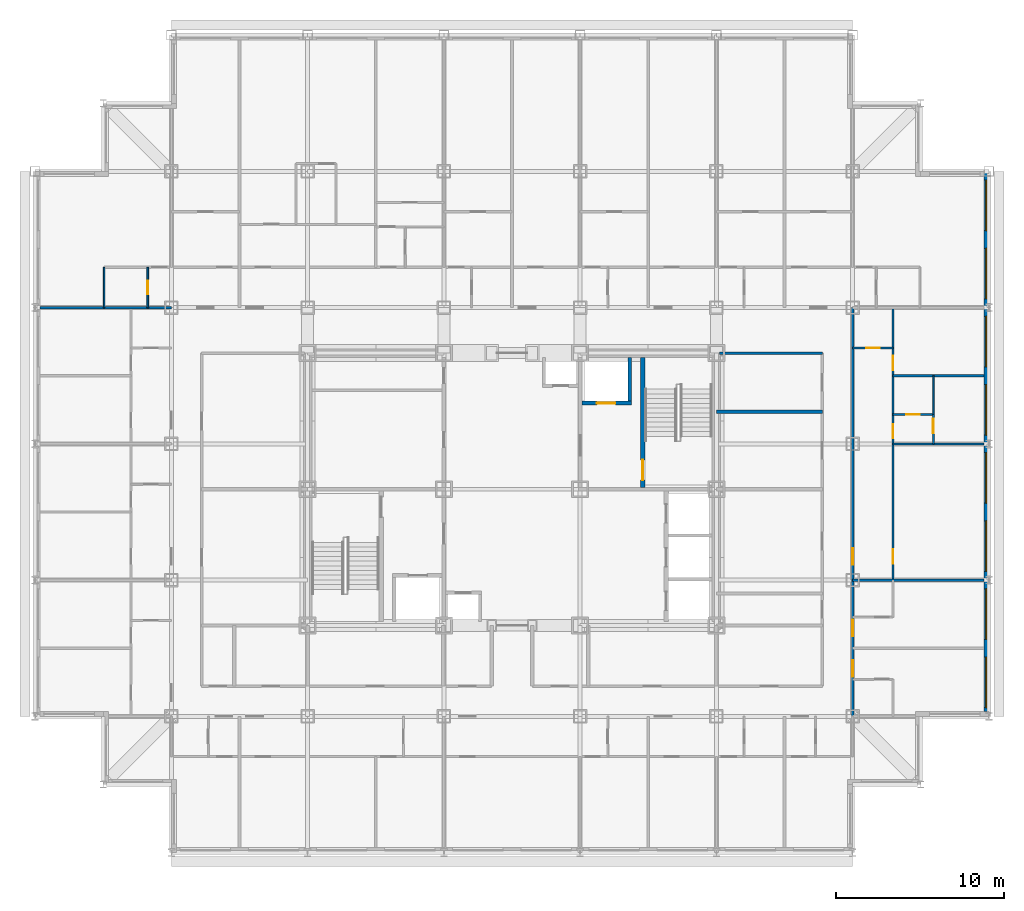
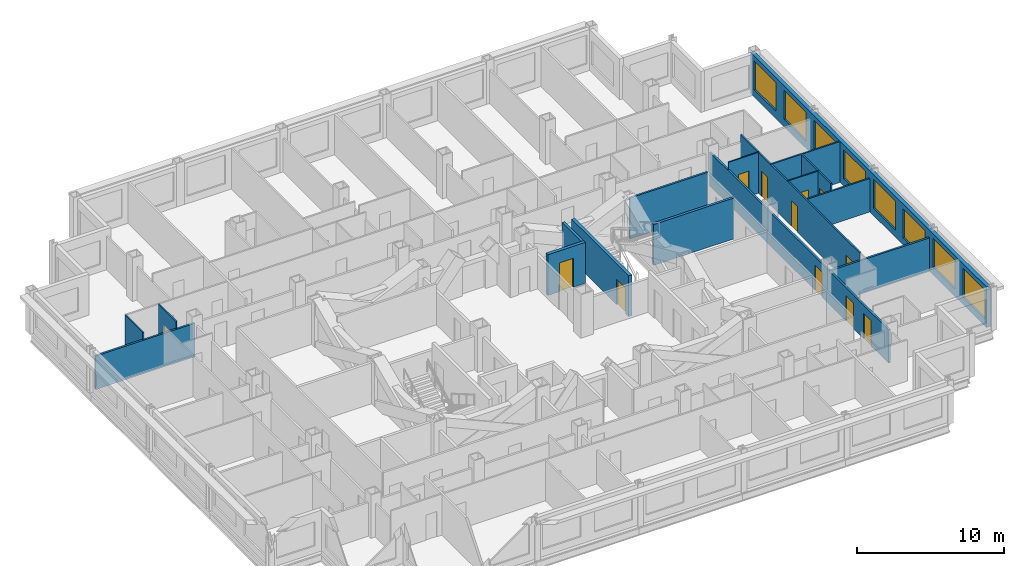
# One storey, part 8 of 12: 18 walls, 12 doors, 8 windows, 20 openings.
"""IFC4 building model written with IfcOpenShell, lengths in metres."""

from ifc_helpers import new_model, si_unit, direction, frame, frame_2d, origin, place, context, subcontext, project, spatial, rectangle, extrude, material, layer, layer_set, type_object, element, fill, save


model = new_model("IFC4")

# Units and contexts
model_context = context("Model", 3, precision=1e-05, world=origin(), true_north=direction((0.0, 1.0)))
body_context = subcontext(model_context, "Body", "Model", "MODEL_VIEW")
ifc_project = project(units=[si_unit("LENGTHUNIT", "METRE"), si_unit("AREAUNIT", "SQUARE_METRE"), si_unit("VOLUMEUNIT", "CUBIC_METRE"), si_unit("PLANEANGLEUNIT", "RADIAN"), si_unit("MASSUNIT", "GRAM", prefix="KILO")], contexts=[model_context])

# Site, building, storey
site_placement = place(None, origin())
site = spatial("IfcSite", under=ifc_project, at=site_placement, CompositionType="ELEMENT")
building_placement = place(site_placement, origin())
building = spatial("IfcBuilding", under=site, at=building_placement, Name="Kopane Lantern Tower", CompositionType="ELEMENT")
storey_placement = place(building_placement, frame((0.0, 0.0, 195.60009765625)))
storey = spatial("IfcBuildingStorey", under=building, at=storey_placement, Name="L50", CompositionType="ELEMENT", Elevation=195.60009765625)

# Wall, openings, doors
ifc_material_1 = material(Name="Gypsum board on steel studs", Category="steel")
ifc_layer_1 = layer(ifc_material_1, 0.1201171875)
ifc_layer_set_1 = layer_set([ifc_layer_1], Name="APARTMENT INTERNAL WALL 120")
wall_type_1 = type_object("IfcWallType", Name="APARTMENT INTERNAL WALL 120", PredefinedType="PARTITIONING", material=ifc_layer_set_1)
wall_1_placement = place(storey_placement, frame((51.0, 27.0, 0.0), z_axis=(0.0, 0.0, 1.0), x_axis=(0.0, 1.0, 0.0)))
wall_1 = element("IfcWall", 1, at=wall_1_placement, inside=storey, type_object=wall_type_1, Name="Apartment Internal Wall 120 L50", PredefinedType="PARTITIONING", context=body_context, shape_type="SweptSolid", body=[
    extrude(rectangle(XDim=16.199951171875, YDim=0.1201171875, at=frame_2d((8.10009765625, 0.0))), origin(), (0.0, 0.0, 1.0), 3.389892578125),
])
opening_1_placement = place(wall_1_placement, frame((0.97509765625, 0.0, 0.0)))
opening_1 = element("IfcOpeningElement", 2, at=opening_1_placement, cuts=wall_1, Name="Opening L50-058", PredefinedType="OPENING", context=body_context, shape_type="SweptSolid", body=[
    extrude(rectangle(XDim=0.85009765625, YDim=2.10009765625, at=frame_2d((0.425048828125, 1.050048828125))), frame((0.0, 0.070068359375, 0.0), z_axis=(0.0, -1.0, 0.0), x_axis=(1.0, 0.0, 0.0)), (0.0, 0.0, 1.0), 0.14013671875),
])
opening_2_placement = place(wall_1_placement, frame((8.425048828125, 0.0, 0.0)))
opening_2 = element("IfcOpeningElement", 3, at=opening_2_placement, cuts=wall_1, Name="Opening L50-060", PredefinedType="OPENING", context=body_context, shape_type="SweptSolid", body=[
    extrude(rectangle(XDim=0.85009765625, YDim=2.10009765625, at=frame_2d((0.425048828125, 1.050048828125))), frame((0.0, 0.070068359375, 0.0), z_axis=(0.0, -1.0, 0.0), x_axis=(1.0, 0.0, 0.0)), (0.0, 0.0, 1.0), 0.14013671875),
])
opening_3_placement = place(wall_1_placement, frame((12.47509765625, 0.0, 0.0)))
opening_3 = element("IfcOpeningElement", 4, at=opening_3_placement, cuts=wall_1, Name="Opening L50-061", PredefinedType="OPENING", context=body_context, shape_type="SweptSolid", body=[
    extrude(rectangle(XDim=0.85009765625, YDim=2.10009765625, at=frame_2d((0.425048828125, 1.050048828125))), frame((0.0, 0.070068359375, 0.0), z_axis=(0.0, -1.0, 0.0), x_axis=(1.0, 0.0, 0.0)), (0.0, 0.0, 1.0), 0.14013671875),
])
ifc_material_2 = material(Name="Timber door set", Category="wood")
door_type_1 = type_object("IfcDoorType", Name="DOOR D4 850x2100", OperationType="SINGLE_SWING_LEFT", PredefinedType="DOOR", material=ifc_material_2)
door_1_placement = place(opening_1_placement, origin())
door_1 = element("IfcDoor", 5, at=door_1_placement, inside=storey, type_object=door_type_1, Name="Door L50-058", OperationType="SINGLE_SWING_LEFT", OverallHeight=2.10009765625, OverallWidth=0.85009765625, PredefinedType="DOOR", context=body_context, shape_type="SweptSolid", body=[
    extrude(rectangle(XDim=0.85009765625, YDim=2.10009765625, at=frame_2d((0.425048828125, 1.050048828125))), frame((0.0, 0.02490234375, 0.0), z_axis=(0.0, -1.0, 0.0), x_axis=(1.0, 0.0, 0.0)), (0.0, 0.0, 1.0), 0.050048828125),
])
fill(opening_1, door_1)
door_2_placement = place(opening_2_placement, origin())
door_2 = element("IfcDoor", 6, at=door_2_placement, inside=storey, type_object=door_type_1, Name="Door L50-060", OperationType="SINGLE_SWING_RIGHT", OverallHeight=2.10009765625, OverallWidth=0.85009765625, PredefinedType="DOOR", context=body_context, shape_type="SweptSolid", body=[
    extrude(rectangle(XDim=0.85009765625, YDim=2.10009765625, at=frame_2d((0.425048828125, 1.050048828125))), frame((0.0, 0.02490234375, 0.0), z_axis=(0.0, -1.0, 0.0), x_axis=(1.0, 0.0, 0.0)), (0.0, 0.0, 1.0), 0.050048828125),
])
fill(opening_2, door_2)
door_3_placement = place(opening_3_placement, origin())
door_3 = element("IfcDoor", 7, at=door_3_placement, inside=storey, type_object=door_type_1, Name="Door L50-061", OperationType="SINGLE_SWING_RIGHT", OverallHeight=2.10009765625, OverallWidth=0.85009765625, PredefinedType="DOOR", context=body_context, shape_type="SweptSolid", body=[
    extrude(rectangle(XDim=0.85009765625, YDim=2.10009765625, at=frame_2d((0.425048828125, 1.050048828125))), frame((0.0, 0.02490234375, 0.0), z_axis=(0.0, -1.0, 0.0), x_axis=(1.0, 0.0, 0.0)), (0.0, 0.0, 1.0), 0.050048828125),
])
fill(opening_3, door_3)

# Walls
wall_2_placement = place(storey_placement, frame((51.0, 35.10009765625, 0.0), z_axis=(0.0, 0.0, 1.0), x_axis=(1.0, 0.0, 0.0)))
element("IfcWall", 8, at=wall_2_placement, inside=storey, type_object=wall_type_1, Name="Apartment Internal Wall 120 L50", PredefinedType="PARTITIONING", context=body_context, shape_type="SweptSolid", body=[
    extrude(rectangle(XDim=5.39990234375, YDim=0.1201171875, at=frame_2d((2.699951171875, 0.0))), origin(), (0.0, 0.0, 1.0), 2.777587890625),
])
wall_3_placement = place(storey_placement, frame((51.0, 39.14990234375, 0.0), z_axis=(0.0, 0.0, 1.0), x_axis=(1.0, 0.0, 0.0)))
element("IfcWall", 9, at=wall_3_placement, inside=storey, type_object=wall_type_1, Name="Apartment Internal Wall 120 L50", PredefinedType="PARTITIONING", context=body_context, shape_type="SweptSolid", body=[
    extrude(rectangle(XDim=5.39990234375, YDim=0.1201171875, at=frame_2d((2.699951171875, 0.0))), origin(), (0.0, 0.0, 1.0), 3.389892578125),
])

# Wall, opening, door
wall_4_placement = place(storey_placement, frame((53.39990234375, 36.860107421875, 0.0), z_axis=(0.0, 0.0, 1.0), x_axis=(0.0, -1.0, 0.0)))
wall_4 = element("IfcWall", 10, at=wall_4_placement, inside=storey, type_object=wall_type_1, Name="Apartment Internal Wall 120 L50", PredefinedType="PARTITIONING", context=body_context, shape_type="SweptSolid", body=[
    extrude(rectangle(XDim=1.760009765625, YDim=0.1201171875, at=frame_2d((0.8798828125, 0.0))), origin(), (0.0, 0.0, 1.0), 3.389892578125),
])
opening_4_placement = place(wall_4_placement, frame((0.27490234375, 0.0, 0.0)))
opening_4 = element("IfcOpeningElement", 11, at=opening_4_placement, cuts=wall_4, Name="Opening L50-077", PredefinedType="OPENING", context=body_context, shape_type="SweptSolid", body=[
    extrude(rectangle(XDim=0.85009765625, YDim=2.10009765625, at=frame_2d((0.425048828125, 1.050048828125))), frame((0.0, 0.070068359375, 0.0), z_axis=(0.0, -1.0, 0.0), x_axis=(1.0, 0.0, 0.0)), (0.0, 0.0, 1.0), 0.14013671875),
])
door_4_placement = place(opening_4_placement, origin())
door_4 = element("IfcDoor", 12, at=door_4_placement, inside=storey, type_object=door_type_1, Name="Door L50-077", OperationType="SINGLE_SWING_RIGHT", OverallHeight=2.10009765625, OverallWidth=0.85009765625, PredefinedType="DOOR", context=body_context, shape_type="SweptSolid", body=[
    extrude(rectangle(XDim=0.85009765625, YDim=2.10009765625, at=frame_2d((0.425048828125, 1.050048828125))), frame((0.0, 0.02490234375, 0.0), z_axis=(0.0, -1.0, 0.0), x_axis=(1.0, 0.0, 0.0)), (0.0, 0.0, 1.0), 0.050048828125),
])
fill(opening_4, door_4)

ifc_material_3 = material(Name="Moisture-resistant board on steel studs", Category="steel")
ifc_layer_2 = layer(ifc_material_3, 0.10009765625)
ifc_layer_set_2 = layer_set([ifc_layer_2], Name="BATHROOM WALL 100")
wall_type_2 = type_object("IfcWallType", Name="BATHROOM WALL 100", PredefinedType="PARTITIONING", material=ifc_layer_set_2)
wall_5_placement = place(storey_placement, frame((48.60009765625, 40.800048828125, 0.0), z_axis=(0.0, 0.0, 1.0), x_axis=(1.0, 0.0, 0.0)))
wall_5 = element("IfcWall", 13, at=wall_5_placement, inside=storey, type_object=wall_type_2, Name="Bathroom Wall 100 L50", PredefinedType="PARTITIONING", context=body_context, shape_type="SweptSolid", body=[
    extrude(rectangle(XDim=2.39990234375, YDim=0.10009765625, at=frame_2d((1.199951171875, 0.0))), origin(), (0.0, 0.0, 1.0), 3.389892578125),
])
opening_5_placement = place(wall_5_placement, frame((0.800048828125, 0.0, 0.0)))
opening_5 = element("IfcOpeningElement", 14, at=opening_5_placement, cuts=wall_5, Name="Opening L50-056", PredefinedType="OPENING", context=body_context, shape_type="SweptSolid", body=[
    extrude(rectangle(XDim=0.800048828125, YDim=2.10009765625, at=frame_2d((0.39990234375, 1.050048828125))), frame((0.0, 0.06005859375, 0.0), z_axis=(0.0, -1.0, 0.0), x_axis=(1.0, 0.0, 0.0)), (0.0, 0.0, 1.0), 0.1201171875),
])
ifc_material_4 = material(Name="Timber door set", Category="wood")
door_type_2 = type_object("IfcDoorType", Name="DOOR D2 800x2100", OperationType="SINGLE_SWING_LEFT", PredefinedType="DOOR", material=ifc_material_4)
door_5_placement = place(opening_5_placement, origin())
door_5 = element("IfcDoor", 15, at=door_5_placement, inside=storey, type_object=door_type_2, Name="Door L50-056", OperationType="SINGLE_SWING_LEFT", OverallHeight=2.10009765625, OverallWidth=0.800048828125, PredefinedType="DOOR", context=body_context, shape_type="SweptSolid", body=[
    extrude(rectangle(XDim=0.800048828125, YDim=2.10009765625, at=frame_2d((0.39990234375, 1.050048828125))), frame((0.0, 0.02490234375, 0.0), z_axis=(0.0, -1.0, 0.0), x_axis=(1.0, 0.0, 0.0)), (0.0, 0.0, 1.0), 0.050048828125),
])
fill(opening_5, door_5)

wall_6_placement = place(storey_placement, frame((51.0, 36.85009765625, 0.0), z_axis=(0.0, 0.0, 1.0), x_axis=(1.0, 0.0, 0.0)))
wall_6 = element("IfcWall", 16, at=wall_6_placement, inside=storey, type_object=wall_type_2, Name="Bathroom Wall 100 L50", PredefinedType="PARTITIONING", context=body_context, shape_type="SweptSolid", body=[
    extrude(rectangle(XDim=2.39990234375, YDim=0.10009765625, at=frame_2d((1.199951171875, 0.0))), origin(), (0.0, 0.0, 1.0), 3.389892578125),
])
opening_6_placement = place(wall_6_placement, frame((0.800048828125, 0.0, 0.0)))
opening_6 = element("IfcOpeningElement", 17, at=opening_6_placement, cuts=wall_6, Name="Opening L50-059", PredefinedType="OPENING", context=body_context, shape_type="SweptSolid", body=[
    extrude(rectangle(XDim=0.800048828125, YDim=2.10009765625, at=frame_2d((0.39990234375, 1.050048828125))), frame((0.0, 0.06005859375, 0.0), z_axis=(0.0, -1.0, 0.0), x_axis=(1.0, 0.0, 0.0)), (0.0, 0.0, 1.0), 0.1201171875),
])
door_6_placement = place(opening_6_placement, origin())
door_6 = element("IfcDoor", 18, at=door_6_placement, inside=storey, type_object=door_type_2, Name="Door L50-059", OperationType="SINGLE_SWING_LEFT", OverallHeight=2.10009765625, OverallWidth=0.800048828125, PredefinedType="DOOR", context=body_context, shape_type="SweptSolid", body=[
    extrude(rectangle(XDim=0.800048828125, YDim=2.10009765625, at=frame_2d((0.39990234375, 1.050048828125))), frame((0.0, 0.02490234375, 0.0), z_axis=(0.0, -1.0, 0.0), x_axis=(1.0, 0.0, 0.0)), (0.0, 0.0, 1.0), 0.050048828125),
])
fill(opening_6, door_6)

# Wall
wall_7_placement = place(storey_placement, frame((53.39990234375, 36.85009765625, 0.0), z_axis=(0.0, 0.0, 1.0), x_axis=(0.0, 1.0, 0.0)))
element("IfcWall", 19, at=wall_7_placement, inside=storey, type_object=wall_type_2, Name="Bathroom Wall 100 L50", PredefinedType="PARTITIONING", context=body_context, shape_type="SweptSolid", body=[
    extrude(rectangle(XDim=2.2998046875, YDim=0.10009765625, at=frame_2d((1.14990234375, 0.0))), origin(), (0.0, 0.0, 1.0), 3.389892578125),
])

# Wall, opening, door
wall_8_placement = place(storey_placement, frame((6.699951171875, 43.199951171875, 0.0), z_axis=(0.0, 0.0, 1.0), x_axis=(0.0, 1.0, 0.0)))
wall_8 = element("IfcWall", 20, at=wall_8_placement, inside=storey, type_object=wall_type_2, Name="Bathroom Wall 100 L50", PredefinedType="PARTITIONING", context=body_context, shape_type="SweptSolid", body=[
    extrude(rectangle(XDim=2.400146484375, YDim=0.10009765625, at=frame_2d((1.2001953125, 0.0))), origin(), (0.0, 0.0, 1.0), 3.389892578125),
])
opening_7_placement = place(wall_8_placement, frame((0.800048828125, 0.0, 0.0)))
opening_7 = element("IfcOpeningElement", 21, at=opening_7_placement, cuts=wall_8, Name="Opening L50-074", PredefinedType="OPENING", context=body_context, shape_type="SweptSolid", body=[
    extrude(rectangle(XDim=0.800048828125, YDim=2.10009765625, at=frame_2d((0.39990234375, 1.050048828125))), frame((0.0, 0.06005859375, 0.0), z_axis=(0.0, -1.0, 0.0), x_axis=(1.0, 0.0, 0.0)), (0.0, 0.0, 1.0), 0.1201171875),
])
door_7_placement = place(opening_7_placement, origin())
door_7 = element("IfcDoor", 22, at=door_7_placement, inside=storey, type_object=door_type_2, Name="Door L50-074", OperationType="SINGLE_SWING_LEFT", OverallHeight=2.10009765625, OverallWidth=0.800048828125, PredefinedType="DOOR", context=body_context, shape_type="SweptSolid", body=[
    extrude(rectangle(XDim=0.800048828125, YDim=2.10009765625, at=frame_2d((0.39990234375, 1.050048828125))), frame((0.0, 0.02490234375, 0.0), z_axis=(0.0, -1.0, 0.0), x_axis=(1.0, 0.0, 0.0)), (0.0, 0.0, 1.0), 0.050048828125),
])
fill(opening_7, door_7)

# Wall
wall_9_placement = place(storey_placement, frame((4.10009765625, 43.199951171875, 0.0), z_axis=(0.0, 0.0, 1.0), x_axis=(0.0, 1.0, 0.0)))
element("IfcWall", 23, at=wall_9_placement, inside=storey, type_object=wall_type_2, Name="Bathroom Wall 100 L50", PredefinedType="PARTITIONING", context=body_context, shape_type="SweptSolid", body=[
    extrude(rectangle(XDim=2.400146484375, YDim=0.10009765625, at=frame_2d((1.2001953125, 0.0))), origin(), (0.0, 0.0, 1.0), 3.389892578125),
])

# Wall, opening, door
ifc_material_5 = material(Name="Gypsum shaft wall EI 120", Category="gypsum")
ifc_layer_3 = layer(ifc_material_5, 0.25)
ifc_layer_set_3 = layer_set([ifc_layer_3], Name="CORE SHAFT WALL 250 EI 120")
wall_type_3 = type_object("IfcWallType", Name="CORE SHAFT WALL 250 EI 120", PredefinedType="SOLIDWALL", material=ifc_layer_set_3)
wall_10_placement = place(storey_placement, frame((36.125, 32.5, 0.0), z_axis=(0.0, 0.0, 1.0), x_axis=(0.0, 1.0, 0.0)))
wall_10 = element("IfcWall", 24, at=wall_10_placement, inside=storey, type_object=wall_type_3, Name="Core shaft wall L50 XST2", PredefinedType="SOLIDWALL", context=body_context, shape_type="SweptSolid", body=[
    extrude(rectangle(XDim=7.75, YDim=0.25, at=frame_2d((3.875, 0.0))), origin(), (0.0, 0.0, 1.0), 3.389892578125),
])
opening_8_placement = place(wall_10_placement, frame((0.449951171875, 0.0, 0.0)))
opening_8 = element("IfcOpeningElement", 25, at=opening_8_placement, cuts=wall_10, Name="Opening 50.SD2", PredefinedType="OPENING", context=body_context, shape_type="SweptSolid", body=[
    extrude(rectangle(XDim=1.199951171875, YDim=2.10009765625, at=frame_2d((0.60009765625, 1.050048828125))), frame((0.0, 0.135009765625, 0.0), z_axis=(0.0, -1.0, 0.0), x_axis=(1.0, 0.0, 0.0)), (0.0, 0.0, 1.0), 0.27001953125),
])
ifc_material_6 = material(Name="Steel door set", Category="steel")
door_type_3 = type_object("IfcDoorType", Name="STAIR DOOR 1200x2100 FD60S", OperationType="SINGLE_SWING_LEFT", PredefinedType="DOOR", material=ifc_material_6)
door_8_placement = place(opening_8_placement, origin())
door_8 = element("IfcDoor", 26, at=door_8_placement, inside=storey, type_object=door_type_3, Name="Stair door ST2 L50", OperationType="SINGLE_SWING_RIGHT", OverallHeight=2.10009765625, OverallWidth=1.199951171875, PredefinedType="DOOR", context=body_context, shape_type="SweptSolid", body=[
    extrude(rectangle(XDim=1.199951171875, YDim=2.10009765625, at=frame_2d((0.60009765625, 1.050048828125))), frame((0.0, 0.02490234375, 0.0), z_axis=(0.0, -1.0, 0.0), x_axis=(1.0, 0.0, 0.0)), (0.0, 0.0, 1.0), 0.050048828125),
])
fill(opening_8, door_8)

wall_11_placement = place(storey_placement, frame((32.5, 37.52490234375, 0.0), z_axis=(0.0, 0.0, 1.0), x_axis=(1.0, 0.0, 0.0)))
wall_11 = element("IfcWall", 27, at=wall_11_placement, inside=storey, type_object=wall_type_3, Name="Core shaft wall L50 YLF2", PredefinedType="SOLIDWALL", context=body_context, shape_type="SweptSolid", body=[
    extrude(rectangle(XDim=2.949951171875, YDim=0.25, at=frame_2d((1.47509765625, 0.0))), origin(), (0.0, 0.0, 1.0), 3.389892578125),
])
opening_9_placement = place(wall_11_placement, frame((0.89990234375, 0.0, 0.0)))
opening_9 = element("IfcOpeningElement", 28, at=opening_9_placement, cuts=wall_11, Name="Opening 50.LD-LF2", PredefinedType="OPENING", context=body_context, shape_type="SweptSolid", body=[
    extrude(rectangle(XDim=1.10009765625, YDim=2.39990234375, at=frame_2d((0.550048828125, 1.199951171875))), frame((0.0, 0.135009765625, 0.0), z_axis=(0.0, -1.0, 0.0), x_axis=(1.0, 0.0, 0.0)), (0.0, 0.0, 1.0), 0.27001953125),
])
ifc_material_7 = material(Name="Steel door set", Category="steel")
door_type_4 = type_object("IfcDoorType", Name="LIFT LANDING DOOR 1100x2400 FD60", OperationType="DOUBLE_DOOR_SLIDING", PredefinedType="DOOR", material=ifc_material_7)
door_9_placement = place(opening_9_placement, origin())
door_9 = element("IfcDoor", 29, at=door_9_placement, inside=storey, type_object=door_type_4, Name="Landing door LF2 L50", OperationType="DOUBLE_DOOR_SLIDING", OverallHeight=2.39990234375, OverallWidth=1.10009765625, PredefinedType="DOOR", context=body_context, shape_type="SweptSolid", body=[
    extrude(rectangle(XDim=1.10009765625, YDim=2.39990234375, at=frame_2d((0.550048828125, 1.199951171875))), frame((0.0, 0.02490234375, 0.0), z_axis=(0.0, -1.0, 0.0), x_axis=(1.0, 0.0, 0.0)), (0.0, 0.0, 1.0), 0.050048828125),
])
fill(opening_9, door_9)

# Wall, openings, doors
ifc_material_8 = material(Name="Gypsum board on steel studs", Category="steel")
ifc_layer_4 = layer(ifc_material_8, 0.14990234375)
ifc_layer_set_4 = layer_set([ifc_layer_4], Name="CORRIDOR WALL 150 EI 60")
wall_type_4 = type_object("IfcWallType", Name="CORRIDOR WALL 150 EI 60", PredefinedType="PARTITIONING", material=ifc_layer_set_4)
wall_12_placement = place(storey_placement, frame((48.60009765625, 18.89990234375, 0.0), z_axis=(0.0, 0.0, 1.0), x_axis=(0.0, 1.0, 0.0)))
wall_12 = element("IfcWall", 30, at=wall_12_placement, inside=storey, type_object=wall_type_4, Name="Corridor Wall 150 Ei 60 L50", PredefinedType="PARTITIONING", context=body_context, shape_type="SweptSolid", body=[
    extrude(rectangle(XDim=24.300048828125, YDim=0.14990234375, at=frame_2d((12.14990234375, 0.0))), origin(), (0.0, 0.0, 1.0), 2.777587890625),
])
opening_10_placement = place(wall_12_placement, frame((2.35009765625, 0.0, 0.0)))
opening_10 = element("IfcOpeningElement", 31, at=opening_10_placement, cuts=wall_12, Name="Opening L50-053", PredefinedType="OPENING", context=body_context, shape_type="SweptSolid", body=[
    extrude(rectangle(XDim=1.0, YDim=2.10009765625, at=frame_2d((0.5, 1.050048828125))), frame((0.0, 0.0849609375, 0.0), z_axis=(0.0, -1.0, 0.0), x_axis=(1.0, 0.0, 0.0)), (0.0, 0.0, 1.0), 0.169921875),
])
opening_11_placement = place(wall_12_placement, frame((4.75, 0.0, 0.0)))
opening_11 = element("IfcOpeningElement", 32, at=opening_11_placement, cuts=wall_12, Name="Opening L50-055", PredefinedType="OPENING", context=body_context, shape_type="SweptSolid", body=[
    extrude(rectangle(XDim=1.0, YDim=2.10009765625, at=frame_2d((0.5, 1.050048828125))), frame((0.0, 0.0849609375, 0.0), z_axis=(0.0, -1.0, 0.0), x_axis=(1.0, 0.0, 0.0)), (0.0, 0.0, 1.0), 0.169921875),
])
opening_12_placement = place(wall_12_placement, frame((9.0, 0.0, 0.0)))
opening_12 = element("IfcOpeningElement", 33, at=opening_12_placement, cuts=wall_12, Name="Opening L50-057", PredefinedType="OPENING", context=body_context, shape_type="SweptSolid", body=[
    extrude(rectangle(XDim=1.0, YDim=2.10009765625, at=frame_2d((0.5, 1.050048828125))), frame((0.0, 0.0849609375, 0.0), z_axis=(0.0, -1.0, 0.0), x_axis=(1.0, 0.0, 0.0)), (0.0, 0.0, 1.0), 0.169921875),
])
ifc_material_9 = material(Name="Steel door set", Category="steel")
door_type_5 = type_object("IfcDoorType", Name="DOOR D3 1000x2100 FD30S", OperationType="SINGLE_SWING_LEFT", PredefinedType="DOOR", material=ifc_material_9)
door_10_placement = place(opening_10_placement, origin())
door_10 = element("IfcDoor", 34, at=door_10_placement, inside=storey, type_object=door_type_5, Name="Door L50-053", OperationType="SINGLE_SWING_RIGHT", OverallHeight=2.10009765625, OverallWidth=1.0, PredefinedType="DOOR", context=body_context, shape_type="SweptSolid", body=[
    extrude(rectangle(XDim=1.0, YDim=2.10009765625, at=frame_2d((0.5, 1.050048828125))), frame((0.0, 0.02490234375, 0.0), z_axis=(0.0, -1.0, 0.0), x_axis=(1.0, 0.0, 0.0)), (0.0, 0.0, 1.0), 0.050048828125),
])
fill(opening_10, door_10)
door_11_placement = place(opening_11_placement, origin())
door_11 = element("IfcDoor", 35, at=door_11_placement, inside=storey, type_object=door_type_5, Name="Door L50-055", OperationType="SINGLE_SWING_LEFT", OverallHeight=2.10009765625, OverallWidth=1.0, PredefinedType="DOOR", context=body_context, shape_type="SweptSolid", body=[
    extrude(rectangle(XDim=1.0, YDim=2.10009765625, at=frame_2d((0.5, 1.050048828125))), frame((0.0, 0.02490234375, 0.0), z_axis=(0.0, -1.0, 0.0), x_axis=(1.0, 0.0, 0.0)), (0.0, 0.0, 1.0), 0.050048828125),
])
fill(opening_11, door_11)
door_12_placement = place(opening_12_placement, origin())
door_12 = element("IfcDoor", 36, at=door_12_placement, inside=storey, type_object=door_type_5, Name="Door L50-057", OperationType="SINGLE_SWING_RIGHT", OverallHeight=2.10009765625, OverallWidth=1.0, PredefinedType="DOOR", context=body_context, shape_type="SweptSolid", body=[
    extrude(rectangle(XDim=1.0, YDim=2.10009765625, at=frame_2d((0.5, 1.050048828125))), frame((0.0, 0.02490234375, 0.0), z_axis=(0.0, -1.0, 0.0), x_axis=(1.0, 0.0, 0.0)), (0.0, 0.0, 1.0), 0.050048828125),
])
fill(opening_12, door_12)

# Walls
wall_13_placement = place(storey_placement, frame((46.800048828125, 40.5, 0.0), z_axis=(0.0, 0.0, 1.0), x_axis=(-1.0, 0.0, 0.0)))
element("IfcWall", 37, at=wall_13_placement, inside=storey, type_object=wall_type_4, Name="Corridor Wall 150 Ei 60 L50", PredefinedType="PARTITIONING", context=body_context, shape_type="SweptSolid", body=[
    extrude(rectangle(XDim=6.10009765625, YDim=0.14990234375, at=frame_2d((3.050048828125, 0.0))), origin(), (0.0, 0.0, 1.0), 3.389892578125),
])
ifc_material_10 = material(Name="Gypsum board on steel studs", Category="steel")
ifc_layer_5 = layer(ifc_material_10, 0.14990234375)
ifc_layer_set_5 = layer_set([ifc_layer_5], Name="DEMISING WALL 150 EI 60")
wall_type_5 = type_object("IfcWallType", Name="DEMISING WALL 150 EI 60", PredefinedType="PARTITIONING", material=ifc_layer_set_5)
wall_14_placement = place(storey_placement, frame((48.60009765625, 27.0, 0.0), z_axis=(0.0, 0.0, 1.0), x_axis=(1.0, 0.0, 0.0)))
element("IfcWall", 38, at=wall_14_placement, inside=storey, type_object=wall_type_5, Name="Demising Wall 150 Ei 60 L50", PredefinedType="PARTITIONING", context=body_context, shape_type="SweptSolid", body=[
    extrude(rectangle(XDim=7.7998046875, YDim=0.14990234375, at=frame_2d((3.89990234375, 0.0))), origin(), (0.0, 0.0, 1.0), 2.777587890625),
])
wall_15_placement = place(storey_placement, frame((0.300048828125, 43.199951171875, 0.0), z_axis=(0.0, 0.0, 1.0), x_axis=(1.0, 0.0, 0.0)))
element("IfcWall", 39, at=wall_15_placement, inside=storey, type_object=wall_type_5, Name="Demising Wall 150 Ei 60 L50", PredefinedType="PARTITIONING", context=body_context, shape_type="SweptSolid", body=[
    extrude(rectangle(XDim=7.800048828125, YDim=0.14990234375, at=frame_2d((3.89990234375, 0.0))), origin(), (0.0, 0.0, 1.0), 2.777587890625),
])

# Wall, openings, windows
ifc_material_11 = material(Name="Terracotta rainscreen on light steel framing", Category="masonry")
ifc_layer_6 = layer(ifc_material_11, 0.300048828125)
ifc_layer_set_6 = layer_set([ifc_layer_6], Name="EXTERNAL WALL EW1 300 TERRACOTTA")
wall_type_6 = type_object("IfcWallType", Name="EXTERNAL WALL EW1 300 TERRACOTTA", PredefinedType="SOLIDWALL", material=ifc_layer_set_6)
wall_16_placement = place(storey_placement, frame((56.550048828125, 19.199951171875, 0.0), z_axis=(0.0, 0.0, 1.0), x_axis=(0.0, 1.0, 0.0)))
wall_16 = element("IfcWall", 40, at=wall_16_placement, inside=storey, type_object=wall_type_6, Name="External wall E L50", PredefinedType="SOLIDWALL", context=body_context, shape_type="SweptSolid", body=[
    extrude(rectangle(XDim=32.10009765625, YDim=0.300048828125, at=frame_2d((16.050048828125, 0.0))), origin(), (0.0, 0.0, 1.0), 3.389892578125),
])
opening_13_placement = place(wall_16_placement, frame((0.22509765625, 0.0, 0.60009765625)))
opening_13 = element("IfcOpeningElement", 41, at=opening_13_placement, cuts=wall_16, Name="Opening WR300240", PredefinedType="OPENING", context=body_context, shape_type="SweptSolid", body=[
    extrude(rectangle(XDim=3.0, YDim=2.39990234375, at=frame_2d((1.5, 1.199951171875))), frame((0.0, 0.159912109375, 0.0), z_axis=(0.0, -1.0, 0.0), x_axis=(1.0, 0.0, 0.0)), (0.0, 0.0, 1.0), 0.320068359375),
])
opening_14_placement = place(wall_16_placement, frame((4.27490234375, 0.0, 0.60009765625)))
opening_14 = element("IfcOpeningElement", 42, at=opening_14_placement, cuts=wall_16, Name="Opening WR300240", PredefinedType="OPENING", context=body_context, shape_type="SweptSolid", body=[
    extrude(rectangle(XDim=3.0, YDim=2.39990234375, at=frame_2d((1.5, 1.199951171875))), frame((0.0, 0.159912109375, 0.0), z_axis=(0.0, -1.0, 0.0), x_axis=(1.0, 0.0, 0.0)), (0.0, 0.0, 1.0), 0.320068359375),
])
opening_15_placement = place(wall_16_placement, frame((8.324951171875, 0.0, 0.60009765625)))
opening_15 = element("IfcOpeningElement", 43, at=opening_15_placement, cuts=wall_16, Name="Opening WR300240", PredefinedType="OPENING", context=body_context, shape_type="SweptSolid", body=[
    extrude(rectangle(XDim=3.0, YDim=2.39990234375, at=frame_2d((1.5, 1.199951171875))), frame((0.0, 0.159912109375, 0.0), z_axis=(0.0, -1.0, 0.0), x_axis=(1.0, 0.0, 0.0)), (0.0, 0.0, 1.0), 0.320068359375),
])
opening_16_placement = place(wall_16_placement, frame((12.375, 0.0, 0.60009765625)))
opening_16 = element("IfcOpeningElement", 44, at=opening_16_placement, cuts=wall_16, Name="Opening WR300240", PredefinedType="OPENING", context=body_context, shape_type="SweptSolid", body=[
    extrude(rectangle(XDim=3.0, YDim=2.39990234375, at=frame_2d((1.5, 1.199951171875))), frame((0.0, 0.159912109375, 0.0), z_axis=(0.0, -1.0, 0.0), x_axis=(1.0, 0.0, 0.0)), (0.0, 0.0, 1.0), 0.320068359375),
])
opening_17_placement = place(wall_16_placement, frame((16.425048828125, 0.0, 0.60009765625)))
opening_17 = element("IfcOpeningElement", 45, at=opening_17_placement, cuts=wall_16, Name="Opening WR300240", PredefinedType="OPENING", context=body_context, shape_type="SweptSolid", body=[
    extrude(rectangle(XDim=3.0, YDim=2.39990234375, at=frame_2d((1.5, 1.199951171875))), frame((0.0, 0.159912109375, 0.0), z_axis=(0.0, -1.0, 0.0), x_axis=(1.0, 0.0, 0.0)), (0.0, 0.0, 1.0), 0.320068359375),
])
opening_18_placement = place(wall_16_placement, frame((20.47509765625, 0.0, 0.60009765625)))
opening_18 = element("IfcOpeningElement", 46, at=opening_18_placement, cuts=wall_16, Name="Opening WR300240", PredefinedType="OPENING", context=body_context, shape_type="SweptSolid", body=[
    extrude(rectangle(XDim=3.0, YDim=2.39990234375, at=frame_2d((1.5, 1.199951171875))), frame((0.0, 0.159912109375, 0.0), z_axis=(0.0, -1.0, 0.0), x_axis=(1.0, 0.0, 0.0)), (0.0, 0.0, 1.0), 0.320068359375),
])
opening_19_placement = place(wall_16_placement, frame((24.52490234375, 0.0, 0.60009765625)))
opening_19 = element("IfcOpeningElement", 47, at=opening_19_placement, cuts=wall_16, Name="Opening WR300240", PredefinedType="OPENING", context=body_context, shape_type="SweptSolid", body=[
    extrude(rectangle(XDim=3.0, YDim=2.39990234375, at=frame_2d((1.5, 1.199951171875))), frame((0.0, 0.159912109375, 0.0), z_axis=(0.0, -1.0, 0.0), x_axis=(1.0, 0.0, 0.0)), (0.0, 0.0, 1.0), 0.320068359375),
])
opening_20_placement = place(wall_16_placement, frame((28.574951171875, 0.0, 0.60009765625)))
opening_20 = element("IfcOpeningElement", 48, at=opening_20_placement, cuts=wall_16, Name="Opening WR300240", PredefinedType="OPENING", context=body_context, shape_type="SweptSolid", body=[
    extrude(rectangle(XDim=3.0, YDim=2.39990234375, at=frame_2d((1.5, 1.199951171875))), frame((0.0, 0.159912109375, 0.0), z_axis=(0.0, -1.0, 0.0), x_axis=(1.0, 0.0, 0.0)), (0.0, 0.0, 1.0), 0.320068359375),
])
ifc_material_12 = material(Name="Aluminium and clear glass", Category="aluminium")
window_type = type_object("IfcWindowType", Name="RIBBON WINDOW WR300240 3000x2400", PartitioningType="SINGLE_PANEL", PredefinedType="WINDOW", material=ifc_material_12)
window_1_placement = place(opening_13_placement, origin())
window_1 = element("IfcWindow", 49, at=window_1_placement, inside=storey, type_object=window_type, Name="Window E L50", OverallHeight=2.39990234375, OverallWidth=3.0, PartitioningType="SINGLE_PANEL", PredefinedType="WINDOW", context=body_context, shape_type="SweptSolid", body=[
    extrude(rectangle(XDim=3.0, YDim=2.39990234375, at=frame_2d((1.5, 1.199951171875))), frame((0.0, 0.030029296875, 0.0), z_axis=(0.0, -1.0, 0.0), x_axis=(1.0, 0.0, 0.0)), (0.0, 0.0, 1.0), 0.06005859375),
])
fill(opening_13, window_1)
window_2_placement = place(opening_14_placement, origin())
window_2 = element("IfcWindow", 50, at=window_2_placement, inside=storey, type_object=window_type, Name="Window E L50", OverallHeight=2.39990234375, OverallWidth=3.0, PartitioningType="SINGLE_PANEL", PredefinedType="WINDOW", context=body_context, shape_type="SweptSolid", body=[
    extrude(rectangle(XDim=3.0, YDim=2.39990234375, at=frame_2d((1.5, 1.199951171875))), frame((0.0, 0.030029296875, 0.0), z_axis=(0.0, -1.0, 0.0), x_axis=(1.0, 0.0, 0.0)), (0.0, 0.0, 1.0), 0.06005859375),
])
fill(opening_14, window_2)
window_3_placement = place(opening_15_placement, origin())
window_3 = element("IfcWindow", 51, at=window_3_placement, inside=storey, type_object=window_type, Name="Window E L50", OverallHeight=2.39990234375, OverallWidth=3.0, PartitioningType="SINGLE_PANEL", PredefinedType="WINDOW", context=body_context, shape_type="SweptSolid", body=[
    extrude(rectangle(XDim=3.0, YDim=2.39990234375, at=frame_2d((1.5, 1.199951171875))), frame((0.0, 0.030029296875, 0.0), z_axis=(0.0, -1.0, 0.0), x_axis=(1.0, 0.0, 0.0)), (0.0, 0.0, 1.0), 0.06005859375),
])
fill(opening_15, window_3)
window_4_placement = place(opening_16_placement, origin())
window_4 = element("IfcWindow", 52, at=window_4_placement, inside=storey, type_object=window_type, Name="Window E L50", OverallHeight=2.39990234375, OverallWidth=3.0, PartitioningType="SINGLE_PANEL", PredefinedType="WINDOW", context=body_context, shape_type="SweptSolid", body=[
    extrude(rectangle(XDim=3.0, YDim=2.39990234375, at=frame_2d((1.5, 1.199951171875))), frame((0.0, 0.030029296875, 0.0), z_axis=(0.0, -1.0, 0.0), x_axis=(1.0, 0.0, 0.0)), (0.0, 0.0, 1.0), 0.06005859375),
])
fill(opening_16, window_4)
window_5_placement = place(opening_17_placement, origin())
window_5 = element("IfcWindow", 53, at=window_5_placement, inside=storey, type_object=window_type, Name="Window E L50", OverallHeight=2.39990234375, OverallWidth=3.0, PartitioningType="SINGLE_PANEL", PredefinedType="WINDOW", context=body_context, shape_type="SweptSolid", body=[
    extrude(rectangle(XDim=3.0, YDim=2.39990234375, at=frame_2d((1.5, 1.199951171875))), frame((0.0, 0.030029296875, 0.0), z_axis=(0.0, -1.0, 0.0), x_axis=(1.0, 0.0, 0.0)), (0.0, 0.0, 1.0), 0.06005859375),
])
fill(opening_17, window_5)
window_6_placement = place(opening_18_placement, origin())
window_6 = element("IfcWindow", 54, at=window_6_placement, inside=storey, type_object=window_type, Name="Window E L50", OverallHeight=2.39990234375, OverallWidth=3.0, PartitioningType="SINGLE_PANEL", PredefinedType="WINDOW", context=body_context, shape_type="SweptSolid", body=[
    extrude(rectangle(XDim=3.0, YDim=2.39990234375, at=frame_2d((1.5, 1.199951171875))), frame((0.0, 0.030029296875, 0.0), z_axis=(0.0, -1.0, 0.0), x_axis=(1.0, 0.0, 0.0)), (0.0, 0.0, 1.0), 0.06005859375),
])
fill(opening_18, window_6)
window_7_placement = place(opening_19_placement, origin())
window_7 = element("IfcWindow", 55, at=window_7_placement, inside=storey, type_object=window_type, Name="Window E L50", OverallHeight=2.39990234375, OverallWidth=3.0, PartitioningType="SINGLE_PANEL", PredefinedType="WINDOW", context=body_context, shape_type="SweptSolid", body=[
    extrude(rectangle(XDim=3.0, YDim=2.39990234375, at=frame_2d((1.5, 1.199951171875))), frame((0.0, 0.030029296875, 0.0), z_axis=(0.0, -1.0, 0.0), x_axis=(1.0, 0.0, 0.0)), (0.0, 0.0, 1.0), 0.06005859375),
])
fill(opening_19, window_7)
window_8_placement = place(opening_20_placement, origin())
window_8 = element("IfcWindow", 56, at=window_8_placement, inside=storey, type_object=window_type, Name="Window E L50", OverallHeight=2.39990234375, OverallWidth=3.0, PartitioningType="SINGLE_PANEL", PredefinedType="WINDOW", context=body_context, shape_type="SweptSolid", body=[
    extrude(rectangle(XDim=3.0, YDim=2.39990234375, at=frame_2d((1.5, 1.199951171875))), frame((0.0, 0.030029296875, 0.0), z_axis=(0.0, -1.0, 0.0), x_axis=(1.0, 0.0, 0.0)), (0.0, 0.0, 1.0), 0.06005859375),
])
fill(opening_20, window_8)

# Walls
ifc_material_13 = material(Name="Concrete masonry", Category="masonry")
ifc_layer_7 = layer(ifc_material_13, 0.199951171875)
ifc_layer_set_7 = layer_set([ifc_layer_7], Name="PLANT ROOM WALL 200 EI 120")
wall_type_7 = type_object("IfcWallType", Name="PLANT ROOM WALL 200 EI 120", PredefinedType="SOLIDWALL", material=ifc_layer_set_7)
wall_17_placement = place(storey_placement, frame((46.800048828125, 37.003173828125, 0.0), z_axis=(0.0, 0.0, 1.0), x_axis=(-1.0, 0.0, 0.0)))
element("IfcWall", 57, at=wall_17_placement, inside=storey, type_object=wall_type_7, Name="Plant Room Wall 200 Ei 120 L50", PredefinedType="SOLIDWALL", context=body_context, shape_type="SweptSolid", body=[
    extrude(rectangle(XDim=6.300048828125, YDim=0.199951171875, at=frame_2d((3.14990234375, 0.0))), origin(), (0.0, 0.0, 1.0), 3.389892578125),
])
ifc_material_14 = material(Name="Gypsum shaft wall EI 120", Category="gypsum")
ifc_layer_8 = layer(ifc_material_14, 0.199951171875)
ifc_layer_set_8 = layer_set([ifc_layer_8], Name="SHAFT WALL 200 EI 120")
wall_type_8 = type_object("IfcWallType", Name="SHAFT WALL 200 EI 120", PredefinedType="SOLIDWALL", material=ifc_layer_set_8)
wall_18_placement = place(storey_placement, frame((35.35009765625, 37.64990234375, 0.0), z_axis=(0.0, 0.0, 1.0), x_axis=(0.0, 1.0, 0.0)))
element("IfcWall", 58, at=wall_18_placement, inside=storey, type_object=wall_type_8, Name="Core shaft wall L50 XLF2", PredefinedType="SOLIDWALL", context=body_context, shape_type="SweptSolid", body=[
    extrude(rectangle(XDim=2.60009765625, YDim=0.199951171875, at=frame_2d((1.300048828125, 0.0))), origin(), (0.0, 0.0, 1.0), 3.389892578125),
])

save(model, "model.ifc")
